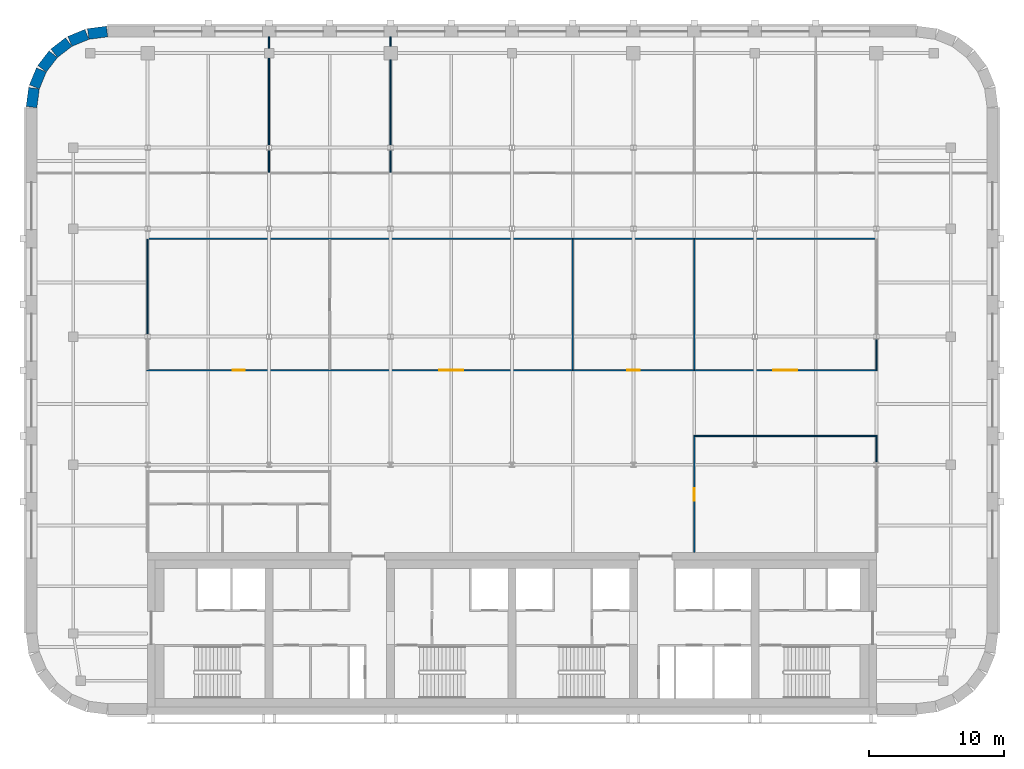
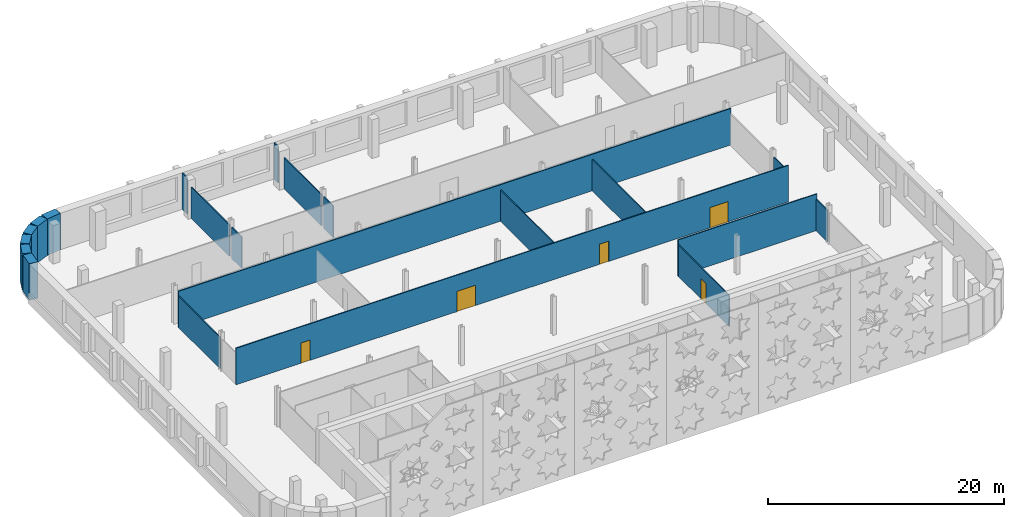
# One storey, part 9 of 15: 21 walls, 5 doors, 5 openings.
"""IFC4 building model written with IfcOpenShell, lengths in metres."""

from ifc_helpers import new_model, si_unit, direction, frame, frame_2d, origin, place, context, subcontext, project, spatial, rectangle, extrude, material, layer, layer_set, type_object, element, fill, save


model = new_model("IFC4")

# Units and contexts
model_context = context("Model", 3, precision=1e-05, world=origin(), true_north=direction((0.0, 1.0)))
body_context = subcontext(model_context, "Body", "Model", "MODEL_VIEW")
ifc_project = project(units=[si_unit("LENGTHUNIT", "METRE"), si_unit("AREAUNIT", "SQUARE_METRE"), si_unit("VOLUMEUNIT", "CUBIC_METRE"), si_unit("PLANEANGLEUNIT", "RADIAN"), si_unit("MASSUNIT", "GRAM", prefix="KILO")], contexts=[model_context])

# Site, building, storey
site_placement = place(None, origin())
site = spatial("IfcSite", under=ifc_project, at=site_placement, CompositionType="ELEMENT")
building_placement = place(site_placement, origin())
building = spatial("IfcBuilding", under=site, at=building_placement, Name="Zellij Exchange Tower", CompositionType="ELEMENT")
storey_placement = place(building_placement, frame((0.0, 0.0, 276.5)))
storey = spatial("IfcBuildingStorey", under=building, at=storey_placement, Name="L65", CompositionType="ELEMENT", Elevation=276.5)

# Walls
ifc_material_1 = material(Name="Precast concrete C40/50", Category="concrete")
ifc_layer_1 = layer(ifc_material_1, 0.800048828125)
ifc_layer_set_1 = layer_set([ifc_layer_1], Name="Precast concrete C40/50")
wall_type_1 = type_object("IfcWallType", Name="ENV-EW1 Precast stone-piered wall 800", PredefinedType="SOLIDWALL", material=ifc_layer_set_1)
wall_1_placement = place(storey_placement, frame((-29.999755859375, 36.5966796875, 0.0), z_axis=(0.0, 0.0, 1.0), x_axis=(-0.99144603414, -0.130517283865, 0.0)))
element("IfcWall", 1, at=wall_1_placement, inside=storey, type_object=wall_type_1, Name="fac.L65.15", PredefinedType="SOLIDWALL", context=body_context, shape_type="SweptSolid", body=[
    extrude(rectangle(XDim=1.408447265625, YDim=0.800048828125, at=frame_2d((0.7041015625, 0.0))), origin(), (0.0, 0.0, 1.0), 3.780029296875),
])
wall_2_placement = place(storey_placement, frame((-31.497314453125, 36.3857421875, 0.0), z_axis=(0.0, 0.0, 1.0), x_axis=(-0.923847774587, -0.38276009378, 0.0)))
element("IfcWall", 2, at=wall_2_placement, inside=storey, type_object=wall_type_1, Name="fac.L65.16", PredefinedType="SOLIDWALL", context=body_context, shape_type="SweptSolid", body=[
    extrude(rectangle(XDim=1.35546875, YDim=0.800048828125, at=frame_2d((0.677734375, 0.0))), origin(), (0.0, 0.0, 1.0), 3.780029296875),
])
for number, where, z_axis, x_axis, name in (
    (3, (-32.840087890625, 35.814697265625, 0.0), (0.0, 0.0, 1.0), (-0.793272915452, -0.608866226366, 0.0), "fac.L65.17"),
    (4, (-33.9892578125, 34.91552734375, 0.0), (0.0, 0.0, 1.0), (-0.608866226366, -0.793272915452, 0.0), "fac.L65.18"),
):
    element("IfcWall", number, at=place(storey_placement, frame(where, z_axis=z_axis, x_axis=x_axis)), inside=storey, type_object=wall_type_1, Name=name, PredefinedType="SOLIDWALL", context=body_context, shape_type="SweptSolid", body=[
        extrude(rectangle(XDim=1.355712890625, YDim=0.800048828125, at=frame_2d((0.677734375, 0.0))), origin(), (0.0, 0.0, 1.0), 3.780029296875),
    ])
wall_3_placement = place(storey_placement, frame((-34.866943359375, 33.74951171875, 0.0), z_axis=(0.0, 0.0, 1.0), x_axis=(-0.38276009378, -0.923847774587, 0.0)))
element("IfcWall", 5, at=wall_3_placement, inside=storey, type_object=wall_type_1, Name="fac.L65.19", PredefinedType="SOLIDWALL", context=body_context, shape_type="SweptSolid", body=[
    extrude(rectangle(XDim=1.35546875, YDim=0.800048828125, at=frame_2d((0.677734375, 0.0))), origin(), (0.0, 0.0, 1.0), 3.780029296875),
])
wall_4_placement = place(storey_placement, frame((-35.412841796875, 32.396240234375, 0.0), z_axis=(0.0, 0.0, 1.0), x_axis=(-0.130517283865, -0.99144603414, 0.0)))
element("IfcWall", 6, at=wall_4_placement, inside=storey, type_object=wall_type_1, Name="fac.L65.20", PredefinedType="SOLIDWALL", context=body_context, shape_type="SweptSolid", body=[
    extrude(rectangle(XDim=1.408447265625, YDim=0.800048828125, at=frame_2d((0.7041015625, 0.0))), origin(), (0.0, 0.0, 1.0), 3.780029296875),
])

# Wall, opening, door
ifc_material_2 = material(Name="Gypsum board partition on steel studs", Category="steel")
ifc_layer_2 = layer(ifc_material_2, 0.10009765625)
ifc_layer_set_2 = layer_set([ifc_layer_2], Name="Gypsum board partition on steel studs")
wall_type_2 = type_object("IfcWallType", Name="FIT-PARTITION-100", PredefinedType="PARTITIONING", material=ifc_layer_set_2)
wall_5_placement = place(storey_placement, frame((13.5, -2.0, 0.0), z_axis=(0.0, 0.0, 1.0), x_axis=(0.0, 1.0, 0.0)))
wall_5 = element("IfcWall", 7, at=wall_5_placement, inside=storey, type_object=wall_type_2, Name="FIT-PARTITION-100 005", PredefinedType="PARTITIONING", context=body_context, shape_type="SweptSolid", body=[
    extrude(rectangle(XDim=8.580078125, YDim=0.10009765625, at=frame_2d((4.2900390625, 0.0))), origin(), (0.0, 0.0, 1.0), 3.24658203125),
])
opening_1_placement = place(wall_5_placement, frame((3.85009765625, 0.0, 0.0)))
opening_1 = element("IfcOpeningElement", 8, at=opening_1_placement, cuts=wall_5, Name="Opening EX2.04", PredefinedType="OPENING", context=body_context, shape_type="SweptSolid", body=[
    extrude(rectangle(XDim=0.89990234375, YDim=2.10009765625, at=frame_2d((0.449951171875, 1.050048828125))), frame((0.0, 0.06201171875, 0.0), z_axis=(0.0, -1.0, 0.0), x_axis=(1.0, 0.0, 0.0)), (0.0, 0.0, 1.0), 0.1240234375),
])
ifc_material_3 = material(Name="Timber door set", Category="wood")
door_type_1 = type_object("IfcDoorType", Name="FIT-D1-ROOM-900X2100", OperationType="SINGLE_SWING_LEFT", PredefinedType="DOOR", material=ifc_material_3)
door_1_placement = place(opening_1_placement, origin())
door_1 = element("IfcDoor", 9, at=door_1_placement, inside=storey, type_object=door_type_1, Name="Door EX2.04", OperationType="SINGLE_SWING_RIGHT", OverallHeight=2.10009765625, OverallWidth=0.89990234375, PredefinedType="DOOR", context=body_context, shape_type="SweptSolid", body=[
    extrude(rectangle(XDim=0.89990234375, YDim=2.10009765625, at=frame_2d((0.449951171875, 1.050048828125))), frame((0.0, 0.02490234375, 0.0), z_axis=(0.0, -1.0, 0.0), x_axis=(1.0, 0.0, 0.0)), (0.0, 0.0, 1.0), 0.050048828125),
])
fill(opening_1, door_1)

# Walls
wall_6_placement = place(storey_placement, frame((27.0, 4.686767578125, 0.0), z_axis=(0.0, 0.0, 1.0), x_axis=(0.0, 1.0, 0.0)))
element("IfcWall", 10, at=wall_6_placement, inside=storey, type_object=wall_type_2, Name="FIT-PARTITION-100 007", PredefinedType="PARTITIONING", context=body_context, shape_type="SweptSolid", body=[
    extrude(rectangle(XDim=1.893310546875, YDim=0.10009765625, at=frame_2d((0.94677734375, 0.0))), origin(), (0.0, 0.0, 1.0), 3.24658203125),
])
wall_7_placement = place(storey_placement, frame((13.449951171875, 6.6298828125, 0.0), z_axis=(0.0, 0.0, 1.0), x_axis=(1.0, 0.0, 0.0)))
element("IfcWall", 11, at=wall_7_placement, inside=storey, type_object=wall_type_2, Name="FIT-PARTITION-100 010", PredefinedType="PARTITIONING", context=body_context, shape_type="SweptSolid", body=[
    extrude(rectangle(XDim=13.60009765625, YDim=0.10009765625, at=frame_2d((6.800048828125, 0.0))), origin(), (0.0, 0.0, 1.0), 3.780029296875),
])

# Wall, openings, doors
wall_8_placement = place(storey_placement, frame((-27.050048828125, 11.5, 0.0), z_axis=(0.0, 0.0, 1.0), x_axis=(1.0, 0.0, 0.0)))
wall_8 = element("IfcWall", 12, at=wall_8_placement, inside=storey, type_object=wall_type_2, Name="FIT-PARTITION-100 011", PredefinedType="PARTITIONING", context=body_context, shape_type="SweptSolid", body=[
    extrude(rectangle(XDim=54.10009765625, YDim=0.10009765625, at=frame_2d((27.050048828125, 0.0))), origin(), (0.0, 0.0, 1.0), 3.780029296875),
])
opening_2_placement = place(wall_8_placement, frame((6.35009765625, 0.0, 0.0)))
opening_2 = element("IfcOpeningElement", 13, at=opening_2_placement, cuts=wall_8, Name="Opening EX2.06", PredefinedType="OPENING", context=body_context, shape_type="SweptSolid", body=[
    extrude(rectangle(XDim=0.89990234375, YDim=2.10009765625, at=frame_2d((0.449951171875, 1.050048828125))), frame((0.0, 0.06201171875, 0.0), z_axis=(0.0, -1.0, 0.0), x_axis=(1.0, 0.0, 0.0)), (0.0, 0.0, 1.0), 0.1240234375),
])
opening_3_placement = place(wall_8_placement, frame((21.64990234375, 0.0, 0.0)))
opening_3 = element("IfcOpeningElement", 14, at=opening_3_placement, cuts=wall_8, Name="Opening EX2.07", PredefinedType="OPENING", context=body_context, shape_type="SweptSolid", body=[
    extrude(rectangle(XDim=1.800048828125, YDim=2.10009765625, at=frame_2d((0.89990234375, 1.050048828125))), frame((0.0, 0.06201171875, 0.0), z_axis=(0.0, -1.0, 0.0), x_axis=(1.0, 0.0, 0.0)), (0.0, 0.0, 1.0), 0.1240234375),
])
opening_4_placement = place(wall_8_placement, frame((35.60009765625, 0.0, 0.0)))
opening_4 = element("IfcOpeningElement", 15, at=opening_4_placement, cuts=wall_8, Name="Opening EX2.08", PredefinedType="OPENING", context=body_context, shape_type="SweptSolid", body=[
    extrude(rectangle(XDim=0.89990234375, YDim=2.10009765625, at=frame_2d((0.449951171875, 1.050048828125))), frame((0.0, 0.06201171875, 0.0), z_axis=(0.0, -1.0, 0.0), x_axis=(1.0, 0.0, 0.0)), (0.0, 0.0, 1.0), 0.1240234375),
])
opening_5_placement = place(wall_8_placement, frame((46.39990234375, 0.0, 0.0)))
opening_5 = element("IfcOpeningElement", 16, at=opening_5_placement, cuts=wall_8, Name="Opening EX2.09", PredefinedType="OPENING", context=body_context, shape_type="SweptSolid", body=[
    extrude(rectangle(XDim=1.800048828125, YDim=2.10009765625, at=frame_2d((0.89990234375, 1.050048828125))), frame((0.0, 0.06201171875, 0.0), z_axis=(0.0, -1.0, 0.0), x_axis=(1.0, 0.0, 0.0)), (0.0, 0.0, 1.0), 0.1240234375),
])
door_2_placement = place(opening_2_placement, origin())
door_2 = element("IfcDoor", 17, at=door_2_placement, inside=storey, type_object=door_type_1, Name="Door EX2.06", OperationType="SINGLE_SWING_LEFT", OverallHeight=2.10009765625, OverallWidth=0.89990234375, PredefinedType="DOOR", context=body_context, shape_type="SweptSolid", body=[
    extrude(rectangle(XDim=0.89990234375, YDim=2.10009765625, at=frame_2d((0.449951171875, 1.050048828125))), frame((0.0, 0.02490234375, 0.0), z_axis=(0.0, -1.0, 0.0), x_axis=(1.0, 0.0, 0.0)), (0.0, 0.0, 1.0), 0.050048828125),
])
fill(opening_2, door_2)
door_3_placement = place(opening_4_placement, origin())
door_3 = element("IfcDoor", 18, at=door_3_placement, inside=storey, type_object=door_type_1, Name="Door EX2.08", OperationType="SINGLE_SWING_LEFT", OverallHeight=2.10009765625, OverallWidth=0.89990234375, PredefinedType="DOOR", context=body_context, shape_type="SweptSolid", body=[
    extrude(rectangle(XDim=0.89990234375, YDim=2.10009765625, at=frame_2d((0.449951171875, 1.050048828125))), frame((0.0, 0.02490234375, 0.0), z_axis=(0.0, -1.0, 0.0), x_axis=(1.0, 0.0, 0.0)), (0.0, 0.0, 1.0), 0.050048828125),
])
fill(opening_4, door_3)
door_type_2 = type_object("IfcDoorType", Name="FIT-D3-DOUBLE-1800X2100", OperationType="DOUBLE_DOOR_SINGLE_SWING", PredefinedType="DOOR", material=ifc_material_3)
door_4_placement = place(opening_3_placement, origin())
door_4 = element("IfcDoor", 19, at=door_4_placement, inside=storey, type_object=door_type_2, Name="Door EX2.07", OperationType="DOUBLE_DOOR_SINGLE_SWING", OverallHeight=2.10009765625, OverallWidth=1.800048828125, PredefinedType="DOOR", context=body_context, shape_type="SweptSolid", body=[
    extrude(rectangle(XDim=1.800048828125, YDim=2.10009765625, at=frame_2d((0.89990234375, 1.050048828125))), frame((0.0, 0.02490234375, 0.0), z_axis=(0.0, -1.0, 0.0), x_axis=(1.0, 0.0, 0.0)), (0.0, 0.0, 1.0), 0.050048828125),
])
fill(opening_3, door_4)
door_5_placement = place(opening_5_placement, origin())
door_5 = element("IfcDoor", 20, at=door_5_placement, inside=storey, type_object=door_type_2, Name="Door EX2.09", OperationType="DOUBLE_DOOR_SINGLE_SWING", OverallHeight=2.10009765625, OverallWidth=1.800048828125, PredefinedType="DOOR", context=body_context, shape_type="SweptSolid", body=[
    extrude(rectangle(XDim=1.800048828125, YDim=2.10009765625, at=frame_2d((0.89990234375, 1.050048828125))), frame((0.0, 0.02490234375, 0.0), z_axis=(0.0, -1.0, 0.0), x_axis=(1.0, 0.0, 0.0)), (0.0, 0.0, 1.0), 0.050048828125),
])
fill(opening_5, door_5)

# Walls
wall_9_placement = place(storey_placement, frame((-27.0, 14.186767578125, 0.0), z_axis=(0.0, 0.0, 1.0), x_axis=(0.0, 1.0, 0.0)))
element("IfcWall", 21, at=wall_9_placement, inside=storey, type_object=wall_type_2, Name="FIT-PARTITION-100 013", PredefinedType="PARTITIONING", context=body_context, shape_type="SweptSolid", body=[
    extrude(rectangle(XDim=7.003173828125, YDim=0.10009765625, at=frame_2d((3.50146484375, 0.0))), origin(), (0.0, 0.0, 1.0), 3.24658203125),
])
for number, where, z_axis, x_axis, name in (
    (22, (4.5, 11.550048828125, 0.0), (0.0, 0.0, 1.0), (0.0, 1.0, 0.0), "FIT-PARTITION-100 015"),
    (23, (13.5, 11.550048828125, 0.0), (0.0, 0.0, 1.0), (0.0, 1.0, 0.0), "FIT-PARTITION-100 016"),
):
    element("IfcWall", number, at=place(storey_placement, frame(where, z_axis=z_axis, x_axis=x_axis)), inside=storey, type_object=wall_type_2, Name=name, PredefinedType="PARTITIONING", context=body_context, shape_type="SweptSolid", body=[
        extrude(rectangle(XDim=9.639892578125, YDim=0.10009765625, at=frame_2d((4.81982421875, 0.0))), origin(), (0.0, 0.0, 1.0), 3.24658203125),
    ])
wall_10_placement = place(storey_placement, frame((27.0, 11.550048828125, 0.0), z_axis=(0.0, 0.0, 1.0), x_axis=(0.0, 1.0, 0.0)))
element("IfcWall", 24, at=wall_10_placement, inside=storey, type_object=wall_type_2, Name="FIT-PARTITION-100 017", PredefinedType="PARTITIONING", context=body_context, shape_type="SweptSolid", body=[
    extrude(rectangle(XDim=2.26318359375, YDim=0.10009765625, at=frame_2d((1.131591796875, 0.0))), origin(), (0.0, 0.0, 1.0), 3.24658203125),
])
wall_11_placement = place(storey_placement, frame((-27.050048828125, 21.239990234375, 0.0), z_axis=(0.0, 0.0, 1.0), x_axis=(1.0, 0.0, 0.0)))
element("IfcWall", 25, at=wall_11_placement, inside=storey, type_object=wall_type_2, Name="FIT-PARTITION-100 019", PredefinedType="PARTITIONING", context=body_context, shape_type="SweptSolid", body=[
    extrude(rectangle(XDim=54.10009765625, YDim=0.10009765625, at=frame_2d((27.050048828125, 0.0))), origin(), (0.0, 0.0, 1.0), 3.780029296875),
])
wall_12_placement = place(storey_placement, frame((-18.0, 26.159912109375, 0.0), z_axis=(0.0, 0.0, 1.0), x_axis=(0.0, 1.0, 0.0)))
element("IfcWall", 26, at=wall_12_placement, inside=storey, type_object=wall_type_2, Name="FIT-PARTITION-100 021", PredefinedType="PARTITIONING", context=body_context, shape_type="SweptSolid", body=[
    extrude(rectangle(XDim=1.6533203125, YDim=0.10009765625, at=frame_2d((0.82666015625, 0.0))), origin(), (0.0, 0.0, 1.0), 3.24658203125),
])
wall_13_placement = place(storey_placement, frame((-18.0, 28.186767578125, 0.0), z_axis=(0.0, 0.0, 1.0), x_axis=(0.0, 1.0, 0.0)))
element("IfcWall", 27, at=wall_13_placement, inside=storey, type_object=wall_type_2, Name="FIT-PARTITION-100 022", PredefinedType="PARTITIONING", context=body_context, shape_type="SweptSolid", body=[
    extrude(rectangle(XDim=6.463134765625, YDim=0.10009765625, at=frame_2d((3.2314453125, 0.0))), origin(), (0.0, 0.0, 1.0), 3.24658203125),
])
wall_14_placement = place(storey_placement, frame((-18.0, 35.35009765625, 0.0), z_axis=(0.0, 0.0, 1.0), x_axis=(0.0, 1.0, 0.0)))
element("IfcWall", 28, at=wall_14_placement, inside=storey, type_object=wall_type_2, Name="FIT-PARTITION-100 023", PredefinedType="PARTITIONING", context=body_context, shape_type="SweptSolid", body=[
    extrude(rectangle(XDim=0.849853515625, YDim=0.10009765625, at=frame_2d((0.4248046875, 0.0))), origin(), (0.0, 0.0, 1.0), 3.780029296875),
])
wall_15_placement = place(storey_placement, frame((-9.0, 26.159912109375, 0.0), z_axis=(0.0, 0.0, 1.0), x_axis=(0.0, 1.0, 0.0)))
element("IfcWall", 29, at=wall_15_placement, inside=storey, type_object=wall_type_2, Name="FIT-PARTITION-100 024", PredefinedType="PARTITIONING", context=body_context, shape_type="SweptSolid", body=[
    extrude(rectangle(XDim=1.6533203125, YDim=0.10009765625, at=frame_2d((0.82666015625, 0.0))), origin(), (0.0, 0.0, 1.0), 3.24658203125),
])
wall_16_placement = place(storey_placement, frame((-9.0, 28.186767578125, 0.0), z_axis=(0.0, 0.0, 1.0), x_axis=(0.0, 1.0, 0.0)))
element("IfcWall", 30, at=wall_16_placement, inside=storey, type_object=wall_type_2, Name="FIT-PARTITION-100 025", PredefinedType="PARTITIONING", context=body_context, shape_type="SweptSolid", body=[
    extrude(rectangle(XDim=6.313232421875, YDim=0.10009765625, at=frame_2d((3.15673828125, 0.0))), origin(), (0.0, 0.0, 1.0), 3.24658203125),
])
wall_17_placement = place(storey_placement, frame((-9.0, 35.5, 0.0), z_axis=(0.0, 0.0, 1.0), x_axis=(0.0, 1.0, 0.0)))
element("IfcWall", 31, at=wall_17_placement, inside=storey, type_object=wall_type_2, Name="FIT-PARTITION-100 026", PredefinedType="PARTITIONING", context=body_context, shape_type="SweptSolid", body=[
    extrude(rectangle(XDim=0.699951171875, YDim=0.10009765625, at=frame_2d((0.35009765625, 0.0))), origin(), (0.0, 0.0, 1.0), 3.780029296875),
])

save(model, "model.ifc")
